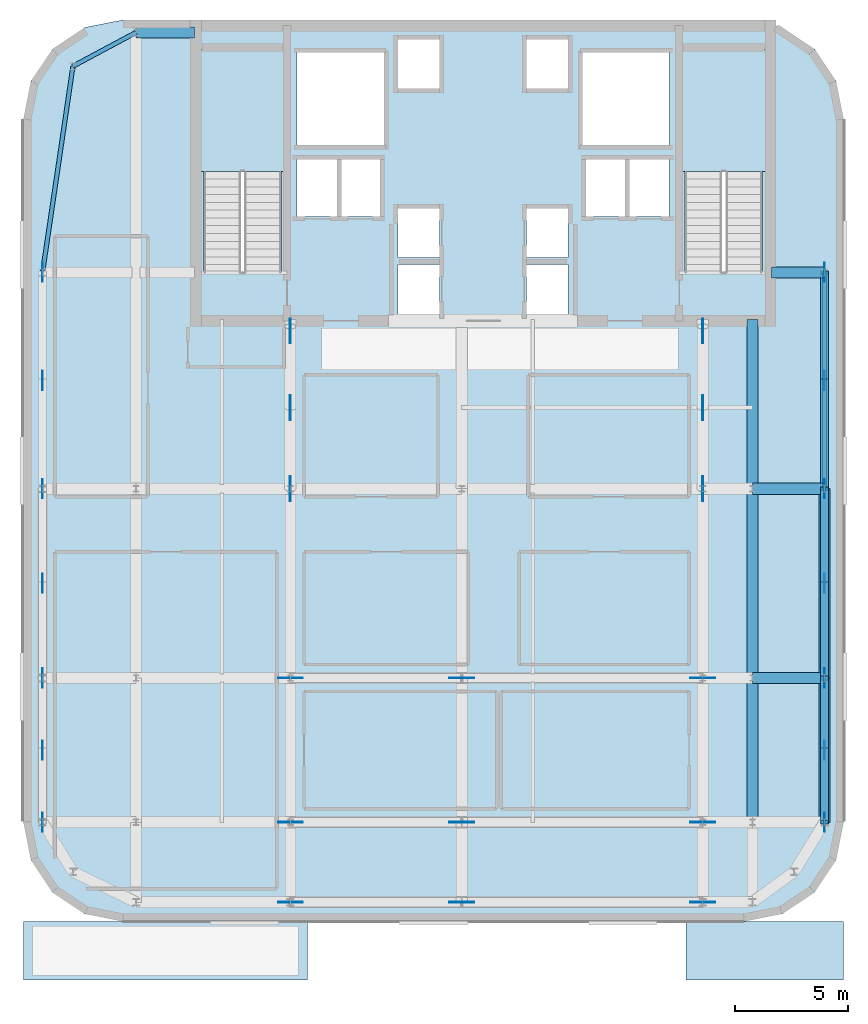
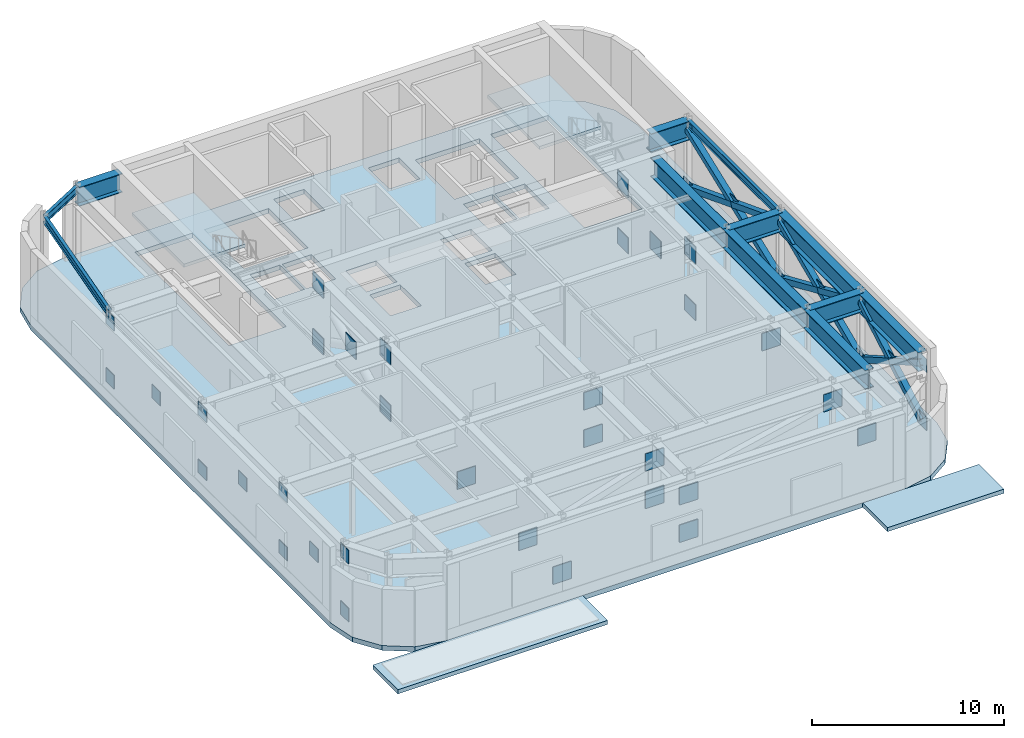
# One storey, part 6 of 13: 44 plates, 12 beams, 9 members, 5 slabs, 2 elements without a shape of their own.
"""IFC4 building model written with IfcOpenShell, lengths in metres."""

import ifcopenshell
import ifcopenshell.guid

model = None  # the IFC model being written
_history = None  # IfcOwnerHistory: only IFC2X3 demands one
_inside = {}  # id of a spatial element -> (the spatial element, [elements in it])
_under = {}  # id of a project, library or spatial element -> (it, [spatial elements below it])
_declared = {}  # id of a project -> (the project, [libraries it declares])
_typed = {}  # id of a type object -> (the type object, [elements of that type])
_made_of = {}  # id of a material, layer set ... -> (it, [elements and type objects made of it])


def new_model(schema):
    """Start an empty IFC model of exactly this schema.

    Asked for "IFC4X3", IfcOpenShell would pick the latest addendum, in which some entities
    have other attributes; the version numbers below select the first issue.
    IFC2X3 requires an IfcOwnerHistory on every rooted entity: one is made here for all.
    """
    global model, _history
    if schema == "IFC4X3":
        model = ifcopenshell.file(schema_version=(4, 3, 0, 0))
    else:
        model = ifcopenshell.file(schema=schema)
    _inside.clear()
    _under.clear()
    _declared.clear()
    _typed.clear()
    _made_of.clear()
    _history = None
    if model.schema == "IFC2X3":
        org = make("IfcOrganization", Name="unknown")
        user = make(
            "IfcPersonAndOrganization",
            ThePerson=make("IfcPerson", FamilyName="unknown"),
            TheOrganization=org,
        )
        app = make(
            "IfcApplication",
            ApplicationDeveloper=org,
            Version="unknown",
            ApplicationFullName="unknown",
            ApplicationIdentifier="unknown",
        )
        _history = make(
            "IfcOwnerHistory",
            OwningUser=user,
            OwningApplication=app,
            ChangeAction="ADDED",
            CreationDate=0,
        )
    return model


def make(cls, **values):
    """One entity of the class cls with the attributes given. An attribute that is None is left unset."""
    return model.create_entity(
        cls, **{name: value for name, value in values.items() if value is not None}
    )


def rooted(cls, **values):
    """An entity with a GlobalId (a new one), such as an element, a storey or a relation."""
    return make(cls, GlobalId=ifcopenshell.guid.new(), OwnerHistory=_history, **values)


def si_unit(unit_type, name, prefix=None):
    """IfcSIUnit, for example si_unit("LENGTHUNIT", "METRE", prefix="MILLI")."""
    return make("IfcSIUnit", UnitType=unit_type, Prefix=prefix, Name=name)


def assignment(units):
    """IfcUnitAssignment: the units of a project."""
    return None if units is None else make("IfcUnitAssignment", Units=units)


def point(xyz):
    """IfcCartesianPoint."""
    return None if xyz is None else make("IfcCartesianPoint", Coordinates=xyz)


def direction(xyz):
    """IfcDirection."""
    return None if xyz is None else make("IfcDirection", DirectionRatios=xyz)


def frame(location, z_axis=None, x_axis=None):
    """IfcAxis2Placement3D, a coordinate frame: its origin and axes. An axis left out is left unset."""
    return make(
        "IfcAxis2Placement3D",
        Location=point(location),
        Axis=direction(z_axis),
        RefDirection=direction(x_axis),
    )


def frame_2d(location, x_axis=None):
    """IfcAxis2Placement2D, a coordinate frame in the plane: its origin and x axis."""
    return make(
        "IfcAxis2Placement2D", Location=point(location), RefDirection=direction(x_axis)
    )


def origin():
    """The frame at (0, 0, 0) with its axes left unset."""
    return frame((0.0, 0.0, 0.0))


def origin_2d():
    """The frame at (0, 0) in the plane with its x axis left unset."""
    return frame_2d((0.0, 0.0))


def place(relative_to, where):
    """IfcLocalPlacement: puts the frame where relative to a parent placement (None: the world)."""
    return make(
        "IfcLocalPlacement", PlacementRelTo=relative_to, RelativePlacement=where
    )


def context(
    kind, dimensions, precision=None, world=None, true_north=None, identifier=None
):
    """IfcGeometricRepresentationContext, for example the 3D "Model" context."""
    return make(
        "IfcGeometricRepresentationContext",
        ContextIdentifier=identifier,
        ContextType=kind,
        CoordinateSpaceDimension=dimensions,
        Precision=precision,
        WorldCoordinateSystem=world,
        TrueNorth=true_north,
    )


def subcontext(parent, identifier, kind, view, scale=None):
    """IfcGeometricRepresentationSubContext, for example "Body" below "Model"."""
    return make(
        "IfcGeometricRepresentationSubContext",
        ContextIdentifier=identifier,
        ContextType=kind,
        ParentContext=parent,
        TargetScale=scale,
        TargetView=view,
    )


def project(units=None, contexts=None):
    """IfcProject with its units and contexts."""
    return rooted(
        "IfcProject",
        Name="project",
        RepresentationContexts=contexts,
        UnitsInContext=assignment(units),
    )


def spatial(cls, under=None, at=None, **own):
    """A site, building, storey or space (cls), placed at a placement, below another one or the project."""
    s = rooted(cls, ObjectPlacement=at, **own)
    if under is not None:
        _under.setdefault(under.id(), (under, []))[1].append(s)
    return s


def polyline(points):
    """IfcPolyline through the points."""
    return make("IfcPolyline", Points=[point(p) for p in points])


def profile(cls, at=None, kind="AREA", **sizes):
    """A parametric profile (cls). Its sizes go by their IFC names, for example OverallWidth=200.0."""
    return make(cls, ProfileType=kind, Position=at, **sizes)


def rectangle(**sizes):
    """IfcRectangleProfileDef."""
    return profile("IfcRectangleProfileDef", **sizes)


def hollow_rectangle(**sizes):
    """IfcRectangleHollowProfileDef."""
    return profile("IfcRectangleHollowProfileDef", **sizes)


def i_section(**sizes):
    """IfcIShapeProfileDef."""
    return profile("IfcIShapeProfileDef", **sizes)


def outline(outer, holes=None, kind="AREA"):
    """IfcArbitraryClosedProfileDef: a profile drawn as a closed curve; with holes, ...WithVoids."""
    if holes is None:
        return make("IfcArbitraryClosedProfileDef", ProfileType=kind, OuterCurve=outer)
    return make(
        "IfcArbitraryProfileDefWithVoids",
        ProfileType=kind,
        OuterCurve=outer,
        InnerCurves=holes,
    )


def extrude(swept, where, along, depth):
    """IfcExtrudedAreaSolid: the profile swept, set in the frame where, extruded along a direction by depth."""
    return make(
        "IfcExtrudedAreaSolid",
        SweptArea=swept,
        Position=where,
        ExtrudedDirection=direction(along),
        Depth=depth,
    )


def shape(context_of_items, identifier, shape_type, items):
    """IfcShapeRepresentation: the items that make up one representation, for example the "Body"."""
    return make(
        "IfcShapeRepresentation",
        ContextOfItems=context_of_items,
        RepresentationIdentifier=identifier,
        RepresentationType=shape_type,
        Items=items,
    )


def source(mapping_origin, context_of_items, identifier, shape_type, items):
    """IfcRepresentationMap: a shape defined once, which mapped items show again and again."""
    return make(
        "IfcRepresentationMap",
        MappingOrigin=mapping_origin,
        MappedRepresentation=shape(context_of_items, identifier, shape_type, items),
    )


def transform(
    local_origin,
    x_axis=None,
    y_axis=None,
    z_axis=None,
    scale=None,
    scale2=None,
    scale3=None,
    uniform=True,
):
    """IfcCartesianTransformationOperator3D, or its non-uniform kind. x_axis, y_axis, z_axis: its Axis1, 2, 3."""
    if uniform:
        return make(
            "IfcCartesianTransformationOperator3D",
            Axis1=direction(x_axis),
            Axis2=direction(y_axis),
            LocalOrigin=point(local_origin),
            Scale=scale,
            Axis3=direction(z_axis),
        )
    return make(
        "IfcCartesianTransformationOperator3DnonUniform",
        Axis1=direction(x_axis),
        Axis2=direction(y_axis),
        LocalOrigin=point(local_origin),
        Scale=scale,
        Axis3=direction(z_axis),
        Scale2=scale2,
        Scale3=scale3,
    )


def mapped(mapping_source, mapping_target):
    """IfcMappedItem: shows the shape of a source again, moved by a transform."""
    return make(
        "IfcMappedItem", MappingSource=mapping_source, MappingTarget=mapping_target
    )


def material(Name=None, Category=None):
    """IfcMaterial."""
    return make("IfcMaterial", Name=Name, Category=Category)


def layer(
    of_material, thickness, ventilated=None, Name=None, Category=None, Priority=None
):
    """IfcMaterialLayer: one layer of a wall or slab, of a material (None: an air gap)."""
    return make(
        "IfcMaterialLayer",
        Material=of_material,
        LayerThickness=thickness,
        IsVentilated=ventilated,
        Name=Name,
        Category=Category,
        Priority=Priority,
    )


def layer_set(layers, Name=None):
    """IfcMaterialLayerSet."""
    return make("IfcMaterialLayerSet", MaterialLayers=layers, LayerSetName=Name)


def material_profile(
    of_material, cross_section, Name=None, Category=None, Priority=None
):
    """IfcMaterialProfile: a cross section and its material."""
    return make(
        "IfcMaterialProfile",
        Name=Name,
        Material=of_material,
        Profile=cross_section,
        Priority=Priority,
        Category=Category,
    )


def profile_set(profiles, Name=None, composite=None):
    """IfcMaterialProfileSet."""
    return make(
        "IfcMaterialProfileSet",
        Name=Name,
        MaterialProfiles=profiles,
        CompositeProfile=composite,
    )


def made_of(thing, what):
    """Note that an element or type object is made of a material, layer set ...; save() writes the relation."""
    if what is not None:
        _made_of.setdefault(what.id(), (what, []))[1].append(thing)
    return thing


def type_object(cls, material=None, **own):
    """A type object (cls), such as IfcWallType, which elements share."""
    return made_of(rooted(cls, **own), material)


def type_shapes(of_type, sources):
    """Give a type object the sources (RepresentationMaps) that its elements show as mapped items."""
    of_type.RepresentationMaps = sources


def element(
    cls,
    number,
    at=None,
    inside=None,
    cuts=None,
    type_object=None,
    material=None,
    context=None,
    identifier="Body",
    shape_type=None,
    held_by="IfcProductDefinitionShape",
    body=None,
    shapes=None,
    **own,
):
    """One element of the class cls, such as IfcWall. Its Tag is "e" and its number.

    at: its placement. inside: the storey or other place that contains it. cuts: it is an
    opening in that element (IfcRelVoidsElement). A single representation is given by context,
    identifier, shape_type and body (its items); several are given by shapes. held_by: the class
    of the entity that holds the representations. save() writes the other relations.
    """
    e = rooted(cls, Tag="e%d" % number, ObjectPlacement=at, **own)
    if body is not None:
        shapes = [shape(context, identifier, shape_type, body)]
    if shapes is not None:
        e.Representation = make(held_by, Representations=shapes)
    if inside is not None:
        _inside.setdefault(inside.id(), (inside, []))[1].append(e)
    if cuts is not None:
        rooted(
            "IfcRelVoidsElement", RelatingBuildingElement=cuts, RelatedOpeningElement=e
        )
    if type_object is not None:
        _typed.setdefault(type_object.id(), (type_object, []))[1].append(e)
    return made_of(e, material)


def aggregate(whole, parts):
    """IfcRelAggregates: a whole, such as a stair, and the parts it consists of."""
    return rooted("IfcRelAggregates", RelatingObject=whole, RelatedObjects=parts)


def save(model, path):
    """Write the relations noted so far, then the file.

    IfcRelAggregates (storeys below a building ...), IfcRelContainedInSpatialStructure (elements
    in a storey), IfcRelDefinesByType, IfcRelAssociatesMaterial and IfcRelDeclares: one each for
    every whole, place, type object, material and project.
    """
    for whole, parts in _under.values():
        aggregate(whole, parts)
    for where, things in _inside.values():
        rooted(
            "IfcRelContainedInSpatialStructure",
            RelatedElements=things,
            RelatingStructure=where,
        )
    for kind, things in _typed.values():
        rooted("IfcRelDefinesByType", RelatedObjects=things, RelatingType=kind)
    for what, things in _made_of.values():
        rooted("IfcRelAssociatesMaterial", RelatedObjects=things, RelatingMaterial=what)
    for by, libraries in _declared.values():
        rooted("IfcRelDeclares", RelatingContext=by, RelatedDefinitions=libraries)
    model.write(path)


model = new_model("IFC4")

# Units and contexts
model_context = context("Model", 3, precision=1e-05, world=origin(), true_north=direction((0.0, 1.0)))
body_context = subcontext(model_context, "Body", "Model", "MODEL_VIEW")
ifc_project = project(units=[si_unit("LENGTHUNIT", "METRE"), si_unit("AREAUNIT", "SQUARE_METRE"), si_unit("VOLUMEUNIT", "CUBIC_METRE"), si_unit("PLANEANGLEUNIT", "RADIAN"), si_unit("MASSUNIT", "GRAM", prefix="KILO")], contexts=[model_context])

# Site, building, storey
site_placement = place(None, origin())
site = spatial("IfcSite", under=ifc_project, at=site_placement, CompositionType="ELEMENT")
building_placement = place(site_placement, origin())
building = spatial("IfcBuilding", under=site, at=building_placement, Name="Tolvann Quenvar Hotel", CompositionType="ELEMENT")
storey_placement = place(building_placement, frame((0.0, 0.0, 270.050048828125)))
storey = spatial("IfcBuildingStorey", under=building, at=storey_placement, Name="L72", CompositionType="ELEMENT", Elevation=270.050048828125)

# Beams
ifc_material_1 = material(Name="Steel Grade 350", Category="steel")
ifc_material_profile_1 = material_profile(ifc_material_1, i_section(OverallWidth=0.5, OverallDepth=1.199951171875, WebThickness=0.01611328125, FlangeThickness=0.0400390625, at=origin_2d()), Name="1200WB455")
ifc_profile_set_1 = profile_set([ifc_material_profile_1], Name="Steel Grade 350")
beam_type_1 = type_object("IfcBeamType", Name="BM_TG_1200WB455", PredefinedType="USERDEFINED", material=ifc_profile_set_1)
shared_shape_1 = source(origin(), body_context, "Body", "SweptSolid", [
    extrude(i_section(OverallWidth=0.5, OverallDepth=1.199951171875, WebThickness=0.01611328125, FlangeThickness=0.0400390625, at=origin_2d()), origin(), (0.0, 0.0, 1.0), 7.5),
])
beam_1_placement = place(storey_placement, frame((34.949951171875, 24.39990234375, 4.179931640625), z_axis=(0.0, 1.0, 0.0), x_axis=(-1.0, 0.0, 0.0)))
element("IfcBeam", 1, at=beam_1_placement, inside=storey, type_object=beam_type_1, Name="BM-L72-CORE-F5", ObjectType="TRANSFER GIRDER", PredefinedType="USERDEFINED", context=body_context, shape_type="MappedRepresentation", body=[
    mapped(shared_shape_1, transform((0.0, 0.0, 0.0), x_axis=(1.0, 0.0, 0.0), y_axis=(0.0, 1.0, 0.0), z_axis=(0.0, 0.0, 1.0), scale=1.0)),
])
shared_shape_2 = source(origin(), body_context, "Body", "SweptSolid", [
    extrude(i_section(OverallWidth=0.5, OverallDepth=1.199951171875, WebThickness=0.01611328125, FlangeThickness=0.0400390625, at=origin_2d()), origin(), (0.0, 0.0, 1.0), 2.599853515625),
])
beam_2_placement = place(storey_placement, frame((7.60009765625, 44.64990234375, 4.179931640625), z_axis=(1.0, 0.0, 0.0), x_axis=(0.0, 1.0, 0.0)))
element("IfcBeam", 2, at=beam_2_placement, inside=storey, type_object=beam_type_1, Name="BM-L72-CTW-CN", ObjectType="TRANSFER GIRDER", PredefinedType="USERDEFINED", context=body_context, shape_type="MappedRepresentation", body=[
    mapped(shared_shape_2, transform((0.0, 0.0, 0.0), x_axis=(1.0, 0.0, 0.0), y_axis=(0.0, 1.0, 0.0), z_axis=(0.0, 0.0, 1.0), scale=1.0)),
])
shared_shape_3 = source(origin(), body_context, "Body", "SweptSolid", [
    extrude(i_section(OverallWidth=0.5, OverallDepth=1.199951171875, WebThickness=0.01611328125, FlangeThickness=0.0400390625, at=origin_2d()), origin(), (0.0, 0.0, 1.0), 8.39990234375),
])
for number, where, z_axis, x_axis, name in (
    (3, (34.949951171875, 16.0, 4.179931640625), (0.0, 1.0, 0.0), (-1.0, 0.0, 0.0), "BM-L72-NS-F4-F5"),
    (4, (38.14990234375, 16.0, 4.179931640625), (0.0, 1.0, 0.0), (-1.0, 0.0, 0.0), "BM-L72-NS-G4-G5"),
):
    element("IfcBeam", number, at=place(storey_placement, frame(where, z_axis=z_axis, x_axis=x_axis)), inside=storey, type_object=beam_type_1, Name=name, ObjectType="TRANSFER GIRDER", PredefinedType="USERDEFINED", context=body_context, shape_type="MappedRepresentation", body=[
        mapped(shared_shape_3, transform((0.0, 0.0, 0.0), x_axis=(1.0, 0.0, 0.0), y_axis=(0.0, 1.0, 0.0), z_axis=(0.0, 0.0, 1.0), scale=1.0)),
    ])
ifc_material_profile_2 = material_profile(ifc_material_1, i_section(OverallWidth=0.19091796875, OverallDepth=0.4599609375, WebThickness=0.010009765625, FlangeThickness=0.01611328125, FilletRadius=0.011474609375, at=origin_2d()), Name="460UB82")
ifc_profile_set_2 = profile_set([ifc_material_profile_2], Name="Steel Grade 350")
beam_type_2 = type_object("IfcBeamType", Name="BM_SPAND_460UB82", PredefinedType="SPANDREL", material=ifc_profile_set_2)
shared_shape_4 = source(origin(), body_context, "Body", "SweptSolid", [
    extrude(i_section(OverallWidth=0.19091796875, OverallDepth=0.4599609375, WebThickness=0.010009765625, FlangeThickness=0.01611328125, FilletRadius=0.011474609375, at=origin_2d()), origin(), (0.0, 0.0, 1.0), 9.60009765625),
])
beam_3_placement = place(storey_placement, frame((38.14990234375, 24.39990234375, 4.550048828125), z_axis=(0.0, 1.0, 0.0), x_axis=(-1.0, 0.0, 0.0)))
element("IfcBeam", 5, at=beam_3_placement, inside=storey, type_object=beam_type_2, Name="BM-L72-FLK-G1", PredefinedType="SPANDREL", context=body_context, shape_type="MappedRepresentation", body=[
    mapped(shared_shape_4, transform((0.0, 0.0, 0.0), x_axis=(1.0, 0.0, 0.0), y_axis=(0.0, 1.0, 0.0), z_axis=(0.0, 0.0, 1.0), scale=1.0)),
])
shared_shape_5 = source(origin(), body_context, "Body", "SweptSolid", [
    extrude(i_section(OverallWidth=0.5, OverallDepth=1.199951171875, WebThickness=0.01611328125, FlangeThickness=0.0400390625, at=origin_2d()), origin(), (0.0, 0.0, 1.0), 3.199951171875),
])
for number, where, z_axis, x_axis, name in (
    (6, (34.949951171875, 16.0, 4.179931640625), (1.0, 0.0, 0.0), (0.0, 1.0, 0.0), "BM-L72-EW-4-F4-G4"),
    (7, (34.949951171875, 24.39990234375, 4.179931640625), (1.0, 0.0, 0.0), (0.0, 1.0, 0.0), "BM-L72-EW-5-F5-G5"),
):
    element("IfcBeam", number, at=place(storey_placement, frame(where, z_axis=z_axis, x_axis=x_axis)), inside=storey, type_object=beam_type_1, Name=name, ObjectType="TRANSFER GIRDER", PredefinedType="USERDEFINED", context=body_context, shape_type="MappedRepresentation", body=[
        mapped(shared_shape_5, transform((0.0, 0.0, 0.0), x_axis=(1.0, 0.0, 0.0), y_axis=(0.0, 1.0, 0.0), z_axis=(0.0, 0.0, 1.0), scale=1.0)),
    ])
shared_shape_6 = source(origin(), body_context, "Body", "SweptSolid", [
    extrude(i_section(OverallWidth=0.19091796875, OverallDepth=0.4599609375, WebThickness=0.010009765625, FlangeThickness=0.01611328125, FilletRadius=0.011474609375, at=origin_2d()), origin(), (0.0, 0.0, 1.0), 9.2490234375),
])
beam_4_placement = place(storey_placement, frame((3.449951171875, 34.0, 4.550048828125), z_axis=(0.145972731602, 0.989288613918, 0.0), x_axis=(-0.989288613918, 0.145972731602, 0.0)))
element("IfcBeam", 8, at=beam_4_placement, inside=storey, type_object=beam_type_2, Name="BM-L72-FLK-W2", PredefinedType="SPANDREL", context=body_context, shape_type="MappedRepresentation", body=[
    mapped(shared_shape_6, transform((0.0, 0.0, 0.0), x_axis=(1.0, 0.0, 0.0), y_axis=(0.0, 1.0, 0.0), z_axis=(0.0, 0.0, 1.0), scale=1.0)),
])
shared_shape_7 = source(origin(), body_context, "Body", "SweptSolid", [
    extrude(i_section(OverallWidth=0.19091796875, OverallDepth=0.4599609375, WebThickness=0.010009765625, FlangeThickness=0.01611328125, FilletRadius=0.011474609375, at=origin_2d()), origin(), (0.0, 0.0, 1.0), 3.176513671875),
])
type_shapes(beam_type_2, [shared_shape_4, shared_shape_6, shared_shape_7])
beam_5_placement = place(storey_placement, frame((4.800048828125, 43.14990234375, 4.550048828125), z_axis=(0.881483397762, 0.472215014025, 0.0), x_axis=(-0.472215014025, 0.881483397762, 0.0)))
element("IfcBeam", 9, at=beam_5_placement, inside=storey, type_object=beam_type_2, Name="BM-L72-FLK-W3", PredefinedType="SPANDREL", context=body_context, shape_type="MappedRepresentation", body=[
    mapped(shared_shape_7, transform((0.0, 0.0, 0.0), x_axis=(1.0, 0.0, 0.0), y_axis=(0.0, 1.0, 0.0), z_axis=(0.0, 0.0, 1.0), scale=1.0)),
])
shared_shape_8 = source(origin(), body_context, "Body", "SweptSolid", [
    extrude(i_section(OverallWidth=0.5, OverallDepth=1.199951171875, WebThickness=0.01611328125, FlangeThickness=0.0400390625, at=origin_2d()), origin(), (0.0, 0.0, 1.0), 2.349853515625),
])
beam_6_placement = place(storey_placement, frame((35.800048828125, 34.0, 4.179931640625), z_axis=(1.0, 0.0, 0.0), x_axis=(0.0, 1.0, 0.0)))
element("IfcBeam", 10, at=beam_6_placement, inside=storey, type_object=beam_type_1, Name="BM-L72-CTE-GD6", ObjectType="TRANSFER GIRDER", PredefinedType="USERDEFINED", context=body_context, shape_type="MappedRepresentation", body=[
    mapped(shared_shape_8, transform((0.0, 0.0, 0.0), x_axis=(1.0, 0.0, 0.0), y_axis=(0.0, 1.0, 0.0), z_axis=(0.0, 0.0, 1.0), scale=1.0)),
])
shared_shape_9 = source(origin(), body_context, "Body", "SweptSolid", [
    extrude(i_section(OverallWidth=0.5, OverallDepth=1.199951171875, WebThickness=0.01611328125, FlangeThickness=0.0400390625, at=origin_2d()), origin(), (0.0, 0.0, 1.0), 6.39990234375),
])
type_shapes(beam_type_1, [shared_shape_1, shared_shape_2, shared_shape_3, shared_shape_5, shared_shape_8, shared_shape_9])
for number, where, z_axis, x_axis, name in (
    (11, (34.949951171875, 9.60009765625, 4.179931640625), (0.0, 1.0, 0.0), (-1.0, 0.0, 0.0), "BM-L72-NS-F3-F4"),
    (12, (38.14990234375, 9.60009765625, 4.179931640625), (0.0, 1.0, 0.0), (-1.0, 0.0, 0.0), "BM-L72-NS-G3-G4"),
):
    element("IfcBeam", number, at=place(storey_placement, frame(where, z_axis=z_axis, x_axis=x_axis)), inside=storey, type_object=beam_type_1, Name=name, ObjectType="TRANSFER GIRDER", PredefinedType="USERDEFINED", context=body_context, shape_type="MappedRepresentation", body=[
        mapped(shared_shape_9, transform((0.0, 0.0, 0.0), x_axis=(1.0, 0.0, 0.0), y_axis=(0.0, 1.0, 0.0), z_axis=(0.0, 0.0, 1.0), scale=1.0)),
    ])

# Members
ifc_material_2 = material(Name="Steel Grade 450 (C450L0)", Category="steel")
ifc_material_profile_3 = material_profile(ifc_material_2, hollow_rectangle(XDim=0.35009765625, YDim=0.35009765625, WallThickness=0.01611328125, at=origin_2d()), Name="350x350x16SHS")
ifc_profile_set_3 = profile_set([ifc_material_profile_3], Name="Steel Grade 450 (C450L0)")
member_type = type_object("IfcMemberType", Name="MEM_BELT_350SHS", PredefinedType="BRACE", material=ifc_profile_set_3)
shared_shape_10 = source(origin(), body_context, "Body", "SweptSolid", [
    extrude(hollow_rectangle(XDim=0.35009765625, YDim=0.35009765625, WallThickness=0.01611328125, at=origin_2d()), origin(), (0.0, 0.0, 1.0), 7.382568359375),
])
member_1_placement = place(storey_placement, frame((38.14990234375, 9.60009765625, 0.449951171875), z_axis=(0.0, 0.866907017588, 0.498469881594), x_axis=(-1.0, 0.0, 0.0)))
element("IfcMember", 13, at=member_1_placement, inside=storey, type_object=member_type, Name="Belt Truss Primary Brace L72-E1A", PredefinedType="BRACE", context=body_context, shape_type="MappedRepresentation", body=[
    mapped(shared_shape_10, transform((0.0, 0.0, 0.0), x_axis=(1.0, 0.0, 0.0), y_axis=(0.0, 1.0, 0.0), z_axis=(0.0, 0.0, 1.0), scale=1.0)),
])
shared_shape_11 = source(origin(), body_context, "Body", "SweptSolid", [
    extrude(hollow_rectangle(XDim=0.35009765625, YDim=0.35009765625, WallThickness=0.01611328125, at=origin_2d()), origin(), (0.0, 0.0, 1.0), 3.69140625),
])
member_2_placement = place(storey_placement, frame((38.14990234375, 16.0, 0.449951171875), z_axis=(0.0, -0.866892726861, 0.498494734291), x_axis=(1.0, 0.0, 0.0)))
element("IfcMember", 14, at=member_2_placement, inside=storey, type_object=member_type, Name="Belt Truss Split Brace Lower L72-E1B1", PredefinedType="BRACE", context=body_context, shape_type="MappedRepresentation", body=[
    mapped(shared_shape_11, transform((0.0, 0.0, 0.0), x_axis=(1.0, 0.0, 0.0), y_axis=(0.0, 1.0, 0.0), z_axis=(0.0, 0.0, 1.0), scale=1.0)),
])
shared_shape_12 = source(origin(), body_context, "Body", "SweptSolid", [
    extrude(hollow_rectangle(XDim=0.35009765625, YDim=0.35009765625, WallThickness=0.01611328125, at=origin_2d()), origin(), (0.0, 0.0, 1.0), 3.691162109375),
])
member_3_placement = place(storey_placement, frame((38.14990234375, 12.800048828125, 2.2900390625), z_axis=(0.0, -0.866921308074, 0.498445027668), x_axis=(1.0, 0.0, 0.0)))
element("IfcMember", 15, at=member_3_placement, inside=storey, type_object=member_type, Name="Belt Truss Split Brace Upper L72-E1B2", PredefinedType="BRACE", context=body_context, shape_type="MappedRepresentation", body=[
    mapped(shared_shape_12, transform((0.0, 0.0, 0.0), x_axis=(1.0, 0.0, 0.0), y_axis=(0.0, 1.0, 0.0), z_axis=(0.0, 0.0, 1.0), scale=1.0)),
])
shared_shape_13 = source(origin(), body_context, "Body", "SweptSolid", [
    extrude(hollow_rectangle(XDim=0.35009765625, YDim=0.35009765625, WallThickness=0.01611328125, at=origin_2d()), origin(), (0.0, 0.0, 1.0), 9.170654296875),
])
member_4_placement = place(storey_placement, frame((38.14990234375, 16.0, 0.449951171875), z_axis=(0.0, 0.915958036519, 0.401274065118), x_axis=(-1.0, 0.0, 0.0)))
element("IfcMember", 16, at=member_4_placement, inside=storey, type_object=member_type, Name="Belt Truss Primary Brace L72-E2A", PredefinedType="BRACE", context=body_context, shape_type="MappedRepresentation", body=[
    mapped(shared_shape_13, transform((0.0, 0.0, 0.0), x_axis=(1.0, 0.0, 0.0), y_axis=(0.0, 1.0, 0.0), z_axis=(0.0, 0.0, 1.0), scale=1.0)),
])
shared_shape_14 = source(origin(), body_context, "Body", "SweptSolid", [
    extrude(hollow_rectangle(XDim=0.35009765625, YDim=0.35009765625, WallThickness=0.01611328125, at=origin_2d()), origin(), (0.0, 0.0, 1.0), 4.58544921875),
])
member_5_placement = place(storey_placement, frame((38.14990234375, 24.39990234375, 0.449951171875), z_axis=(0.0, -0.915948251414, 0.401296400099), x_axis=(1.0, 0.0, 0.0)))
element("IfcMember", 17, at=member_5_placement, inside=storey, type_object=member_type, Name="Belt Truss Split Brace Lower L72-E2B1", PredefinedType="BRACE", context=body_context, shape_type="MappedRepresentation", body=[
    mapped(shared_shape_14, transform((0.0, 0.0, 0.0), x_axis=(1.0, 0.0, 0.0), y_axis=(0.0, 1.0, 0.0), z_axis=(0.0, 0.0, 1.0), scale=1.0)),
])
shared_shape_15 = source(origin(), body_context, "Body", "SweptSolid", [
    extrude(hollow_rectangle(XDim=0.35009765625, YDim=0.35009765625, WallThickness=0.01611328125, at=origin_2d()), origin(), (0.0, 0.0, 1.0), 4.585205078125),
])
member_6_placement = place(storey_placement, frame((38.14990234375, 20.199951171875, 2.2900390625), z_axis=(0.0, -0.915967821289, 0.401251729421), x_axis=(1.0, 0.0, 0.0)))
element("IfcMember", 18, at=member_6_placement, inside=storey, type_object=member_type, Name="Belt Truss Split Brace Upper L72-E2B2", PredefinedType="BRACE", context=body_context, shape_type="MappedRepresentation", body=[
    mapped(shared_shape_15, transform((0.0, 0.0, 0.0), x_axis=(1.0, 0.0, 0.0), y_axis=(0.0, 1.0, 0.0), z_axis=(0.0, 0.0, 1.0), scale=1.0)),
])
shared_shape_16 = source(origin(), body_context, "Body", "SweptSolid", [
    extrude(hollow_rectangle(XDim=0.35009765625, YDim=0.35009765625, WallThickness=0.01611328125, at=origin_2d()), origin(), (0.0, 0.0, 1.0), 10.28125),
])
member_7_placement = place(storey_placement, frame((38.14990234375, 24.39990234375, 0.449951171875), z_axis=(0.0, 0.933749556409, 0.35792703992), x_axis=(-1.0, 0.0, 0.0)))
element("IfcMember", 19, at=member_7_placement, inside=storey, type_object=member_type, Name="Belt Truss Primary Brace L72-E3A", PredefinedType="BRACE", context=body_context, shape_type="MappedRepresentation", body=[
    mapped(shared_shape_16, transform((0.0, 0.0, 0.0), x_axis=(1.0, 0.0, 0.0), y_axis=(0.0, 1.0, 0.0), z_axis=(0.0, 0.0, 1.0), scale=1.0)),
])
shared_shape_17 = source(origin(), body_context, "Body", "SweptSolid", [
    extrude(hollow_rectangle(XDim=0.35009765625, YDim=0.35009765625, WallThickness=0.01611328125, at=origin_2d()), origin(), (0.0, 0.0, 1.0), 5.140625),
])
type_shapes(member_type, [shared_shape_10, shared_shape_11, shared_shape_12, shared_shape_13, shared_shape_14, shared_shape_15, shared_shape_16, shared_shape_17])
for number, where, z_axis, x_axis, name in (
    (20, (38.14990234375, 34.0, 0.449951171875), (0.0, -0.933741619917, 0.357947743722), (1.0, 0.0, 0.0), "Belt Truss Split Brace Lower L72-E3B1"),
    (21, (38.14990234375, 29.199951171875, 2.2900390625), (0.0, -0.933757492577, 0.357906335591), (1.0, 0.0, 0.0), "Belt Truss Split Brace Upper L72-E3B2"),
):
    element("IfcMember", number, at=place(storey_placement, frame(where, z_axis=z_axis, x_axis=x_axis)), inside=storey, type_object=member_type, Name=name, PredefinedType="BRACE", context=body_context, shape_type="MappedRepresentation", body=[
        mapped(shared_shape_17, transform((0.0, 0.0, 0.0), x_axis=(1.0, 0.0, 0.0), y_axis=(0.0, 1.0, 0.0), z_axis=(0.0, 0.0, 1.0), scale=1.0)),
    ])

# Stair, slab
ifc_material_3 = material(Name="Concrete N40 (40 MPa)", Category="concrete")
stair_type = type_object("IfcStairType", Name="STAIR", PredefinedType="HALF_TURN_STAIR", material=ifc_material_3)
stair_1_placement = place(storey_placement, origin())
stair_1 = element("IfcStair", 22, at=stair_1_placement, inside=storey, type_object=stair_type, Name="L72 ST-C1", PredefinedType="HALF_TURN_STAIR")
ifc_layer_1 = layer(ifc_material_3, 0.199951171875)
ifc_layer_set_1 = layer_set([ifc_layer_1], Name="Concrete N40 (40 MPa)")
slab_type_1 = type_object("IfcSlabType", Name="SLAB_LANDING", PredefinedType="LANDING", material=ifc_layer_set_1)
slab_1_placement = place(storey_placement, frame((0.0, 0.0, 2.300048828125)))
slab_1 = element("IfcSlab", 23, at=slab_1_placement, type_object=slab_type_1, Name="ST-C1 landing 1", PredefinedType="LANDING", context=body_context, shape_type="SweptSolid", body=[
    extrude(outline(polyline([(14.179931640625, 38.485107421875), (14.179931640625, 43.8798828125), (10.469970703125, 43.8798828125), (10.469970703125, 38.485107421875), (14.179931640625, 38.485107421875)])), origin(), (0.0, 0.0, 1.0), 0.199951171875),
])
aggregate(stair_1, [slab_1])

stair_2_placement = place(storey_placement, origin())
stair_2 = element("IfcStair", 24, at=stair_2_placement, inside=storey, type_object=stair_type, Name="L72 ST-C2", PredefinedType="HALF_TURN_STAIR")
slab_2_placement = place(storey_placement, frame((0.0, 0.0, 2.300048828125)))
slab_2 = element("IfcSlab", 25, at=slab_2_placement, type_object=slab_type_1, Name="ST-C2 landing 1", PredefinedType="LANDING", context=body_context, shape_type="SweptSolid", body=[
    extrude(outline(polyline([(35.530029296875, 38.485107421875), (35.530029296875, 43.8798828125), (31.820068359375, 43.8798828125), (31.820068359375, 38.485107421875), (35.530029296875, 38.485107421875)])), origin(), (0.0, 0.0, 1.0), 0.199951171875),
])
aggregate(stair_2, [slab_2])

# Slabs
ifc_material_4 = material(Name="Concrete N50 (50 MPa)", Category="concrete")
ifc_layer_2 = layer(ifc_material_4, 0.300048828125)
ifc_layer_set_2 = layer_set([ifc_layer_2], Name="Concrete N50 (50 MPa)")
slab_type_2 = type_object("IfcSlabType", Name="SLAB_PLANT_300", PredefinedType="FLOOR", material=ifc_layer_set_2)
slab_3_placement = place(storey_placement, frame((0.0, 0.0, -0.300048828125)))
element("IfcSlab", 26, at=slab_3_placement, inside=storey, type_object=slab_type_2, Name="Level L72 Structural Floor Slab", PredefinedType="FLOOR", context=body_context, shape_type="SweptSolid", body=[
    extrude(outline(polyline([(2.60009765625, 9.60009765625), (2.934814453125, 7.916259765625), (3.888671875, 6.48876953125), (5.316162109375, 5.534912109375), (7.0, 5.199951171875), (34.60009765625, 5.199951171875), (36.28369140625, 5.534912109375), (37.711181640625, 6.48876953125), (38.6650390625, 7.916259765625), (39.0, 9.60009765625), (39.0, 40.800048828125), (38.6650390625, 42.48388671875), (37.711181640625, 43.911376953125), (36.28369140625, 44.864990234375), (34.60009765625, 45.199951171875), (7.0, 45.199951171875), (5.316162109375, 44.864990234375), (3.888671875, 43.911376953125), (2.934814453125, 42.48388671875), (2.60009765625, 40.800048828125), (2.60009765625, 9.60009765625)]), holes=[polyline([(31.949951171875, 34.02490234375), (31.949951171875, 43.800048828125), (35.39990234375, 43.800048828125), (35.39990234375, 34.02490234375), (31.949951171875, 34.02490234375)]), polyline([(27.39990234375, 43.75), (31.25, 43.75), (31.25, 39.64990234375), (27.39990234375, 39.64990234375), (27.39990234375, 43.75)]), polyline([(29.449951171875, 39.02001953125), (31.25, 39.02001953125), (31.25, 36.47998046875), (29.449951171875, 36.47998046875), (29.449951171875, 39.02001953125)]), polyline([(27.574951171875, 39.02001953125), (29.324951171875, 39.02001953125), (29.324951171875, 36.47998046875), (27.574951171875, 36.47998046875), (27.574951171875, 39.02001953125)]), polyline([(24.929931640625, 36.840087890625), (26.77001953125, 36.840087890625), (26.77001953125, 34.659912109375), (24.929931640625, 34.659912109375), (24.929931640625, 36.840087890625)]), polyline([(24.929931640625, 44.340087890625), (26.77001953125, 44.340087890625), (26.77001953125, 42.159912109375), (24.929931640625, 42.159912109375), (24.929931640625, 44.340087890625)]), polyline([(24.929931640625, 32.159912109375), (24.929931640625, 34.340087890625), (26.77001953125, 34.340087890625), (26.77001953125, 32.159912109375), (24.929931640625, 32.159912109375)]), polyline([(19.22998046875, 36.840087890625), (21.070068359375, 36.840087890625), (21.070068359375, 34.659912109375), (19.22998046875, 34.659912109375), (19.22998046875, 36.840087890625)]), polyline([(19.22998046875, 44.340087890625), (21.070068359375, 44.340087890625), (21.070068359375, 42.159912109375), (19.22998046875, 42.159912109375), (19.22998046875, 44.340087890625)]), polyline([(19.22998046875, 32.159912109375), (19.22998046875, 34.340087890625), (21.070068359375, 34.340087890625), (21.070068359375, 32.159912109375), (19.22998046875, 32.159912109375)]), polyline([(14.75, 43.75), (18.60009765625, 43.75), (18.60009765625, 39.64990234375), (14.75, 39.64990234375), (14.75, 43.75)]), polyline([(16.675048828125, 39.02001953125), (18.425048828125, 39.02001953125), (18.425048828125, 36.47998046875), (16.675048828125, 36.47998046875), (16.675048828125, 39.02001953125)]), polyline([(14.75, 39.02001953125), (16.550048828125, 39.02001953125), (16.550048828125, 36.47998046875), (14.75, 36.47998046875), (14.75, 39.02001953125)]), polyline([(10.60009765625, 34.02490234375), (10.60009765625, 43.800048828125), (14.050048828125, 43.800048828125), (14.050048828125, 34.02490234375), (10.60009765625, 34.02490234375)])]), origin(), (0.0, 0.0, 1.0), 0.300048828125),
])
ifc_layer_3 = layer(ifc_material_4, 0.260009765625)
ifc_layer_set_3 = layer_set([ifc_layer_3], Name="Concrete N50 (50 MPa)")
slab_type_3 = type_object("IfcSlabType", Name="SLAB_TER_260", PredefinedType="ROOF", material=ifc_layer_set_3)
slab_4_placement = place(storey_placement, frame((0.0, 0.0, -0.260009765625)))
element("IfcSlab", 27, at=slab_4_placement, inside=storey, type_object=slab_type_3, Name="Step-in Roof Cap (ROOF-L72-SW)", PredefinedType="ROOF", context=body_context, shape_type="SweptSolid", body=[
    extrude(outline(polyline([(2.60009765625, 2.60009765625), (15.199951171875, 2.60009765625), (15.199951171875, 5.199951171875), (2.60009765625, 5.199951171875), (2.60009765625, 2.60009765625)])), origin(), (0.0, 0.0, 1.0), 0.260009765625),
])
slab_5_placement = place(storey_placement, frame((0.0, 0.0, -0.260009765625)))
element("IfcSlab", 28, at=slab_5_placement, inside=storey, type_object=slab_type_3, Name="Step-in Roof Cap (ROOF-L72-SE)", PredefinedType="ROOF", context=body_context, shape_type="SweptSolid", body=[
    extrude(outline(polyline([(32.0, 2.60009765625), (39.0, 2.60009765625), (39.0, 5.199951171875), (32.0, 5.199951171875), (32.0, 2.60009765625)])), origin(), (0.0, 0.0, 1.0), 0.260009765625),
])

# Plates
ifc_layer_4 = layer(ifc_material_1, 0.0400390625)
ifc_layer_set_4 = layer_set([ifc_layer_4], Name="Steel Grade 350")
plate_type_1 = type_object("IfcPlateType", Name="PLT_GUSSET_40", PredefinedType="USERDEFINED", material=ifc_layer_set_4)
shared_shape_18 = source(origin(), body_context, "Body", "SweptSolid", [
    extrude(rectangle(XDim=1.10009765625, YDim=0.0400390625, at=origin_2d()), origin(), (0.0, 0.0, 1.0), 1.10009765625),
])
for number, where, z_axis, x_axis, name in (
    (29, (14.449951171875, 6.050048828125, 0.64990234375), (0.0, 0.0, 1.0), (1.0, 0.0, 0.0), "Wind Portal Vierendeel Gusset Plate VN1 (2-0)"),
    (30, (22.050048828125, 6.050048828125, 3.02978515625), (0.0, 0.0, 1.0), (1.0, 0.0, 0.0), "Wind Portal Vierendeel Top Gusset Plate VN1 (2-0)"),
    (31, (22.050048828125, 6.050048828125, 0.64990234375), (0.0, 0.0, 1.0), (1.0, 0.0, 0.0), "Wind Portal Vierendeel Gusset Plate VN1 (2-1)"),
    (32, (32.75, 6.050048828125, 3.02978515625), (0.0, 0.0, 1.0), (1.0, 0.0, 0.0), "Wind Portal Vierendeel Top Gusset Plate VN1 (2-1)"),
    (33, (14.449951171875, 9.60009765625, 0.64990234375), (0.0, 0.0, 1.0), (1.0, 0.0, 0.0), "Wind Portal Vierendeel Gusset Plate VN1 (3-0)"),
    (34, (22.050048828125, 9.60009765625, 3.02978515625), (0.0, 0.0, 1.0), (1.0, 0.0, 0.0), "Wind Portal Vierendeel Top Gusset Plate VN1 (3-0)"),
    (35, (22.050048828125, 9.60009765625, 0.64990234375), (0.0, 0.0, 1.0), (1.0, 0.0, 0.0), "Wind Portal Vierendeel Gusset Plate VN1 (3-1)"),
    (36, (32.75, 9.60009765625, 3.02978515625), (0.0, 0.0, 1.0), (1.0, 0.0, 0.0), "Wind Portal Vierendeel Top Gusset Plate VN1 (3-1)"),
    (37, (14.449951171875, 16.0, 0.64990234375), (0.0, 0.0, 1.0), (1.0, 0.0, 0.0), "Wind Portal Vierendeel Gusset Plate VN1 (4-0)"),
    (38, (22.050048828125, 16.0, 3.02978515625), (0.0, 0.0, 1.0), (1.0, 0.0, 0.0), "Wind Portal Vierendeel Top Gusset Plate VN1 (4-0)"),
    (39, (22.050048828125, 16.0, 0.64990234375), (0.0, 0.0, 1.0), (1.0, 0.0, 0.0), "Wind Portal Vierendeel Gusset Plate VN1 (4-1)"),
    (40, (32.75, 16.0, 3.02978515625), (0.0, 0.0, 1.0), (1.0, 0.0, 0.0), "Wind Portal Vierendeel Top Gusset Plate VN1 (4-1)"),
):
    element("IfcPlate", number, at=place(storey_placement, frame(where, z_axis=z_axis, x_axis=x_axis)), inside=storey, type_object=plate_type_1, Name=name, ObjectType="GUSSET PLATE", PredefinedType="USERDEFINED", context=body_context, shape_type="MappedRepresentation", body=[
        mapped(shared_shape_18, transform((0.0, 0.0, 0.0), x_axis=(1.0, 0.0, 0.0), y_axis=(0.0, 1.0, 0.0), z_axis=(0.0, 0.0, 1.0), scale=1.0)),
    ])
shared_shape_19 = source(origin(), body_context, "Body", "SweptSolid", [
    extrude(rectangle(XDim=0.0400390625, YDim=1.10009765625, at=origin_2d()), origin(), (0.0, 0.0, 1.0), 1.10009765625),
])
type_shapes(plate_type_1, [shared_shape_18, shared_shape_19])
for number, where, z_axis, x_axis, name in (
    (41, (14.449951171875, 28.0, 1.739990234375), (0.0, 0.0, 1.0), (1.0, 0.0, 0.0), "Outrigger X-Crossing Gusset Plate ON2 (L72-1)"),
    (42, (14.449951171875, 31.39990234375, -0.10009765625), (0.0, 0.0, 1.0), (1.0, 0.0, 0.0), "Outrigger Node Gusset Plate ON1 (L72-1-1)"),
    (43, (14.449951171875, 31.39990234375, 3.579833984375), (0.0, 0.0, 1.0), (1.0, 0.0, 0.0), "Outrigger Node Gusset Plate ON1 (L72-1-2)"),
    (44, (14.449951171875, 24.39990234375, -0.10009765625), (0.0, 0.0, 1.0), (1.0, 0.0, 0.0), "Outrigger Node Gusset Plate ON1 (L72-1-3)"),
    (45, (14.449951171875, 24.39990234375, 3.579833984375), (0.0, 0.0, 1.0), (1.0, 0.0, 0.0), "Outrigger Node Gusset Plate ON1 (L72-1-4)"),
    (46, (32.75, 28.0, 1.739990234375), (0.0, 0.0, 1.0), (1.0, 0.0, 0.0), "Outrigger X-Crossing Gusset Plate ON2 (L72-2)"),
    (47, (32.75, 31.39990234375, -0.10009765625), (0.0, 0.0, 1.0), (1.0, 0.0, 0.0), "Outrigger Node Gusset Plate ON1 (L72-2-1)"),
    (48, (32.75, 31.39990234375, 3.579833984375), (0.0, 0.0, 1.0), (1.0, 0.0, 0.0), "Outrigger Node Gusset Plate ON1 (L72-2-2)"),
    (49, (32.75, 24.39990234375, -0.10009765625), (0.0, 0.0, 1.0), (1.0, 0.0, 0.0), "Outrigger Node Gusset Plate ON1 (L72-2-3)"),
    (50, (32.75, 24.39990234375, 3.579833984375), (0.0, 0.0, 1.0), (1.0, 0.0, 0.0), "Outrigger Node Gusset Plate ON1 (L72-2-4)"),
):
    element("IfcPlate", number, at=place(storey_placement, frame(where, z_axis=z_axis, x_axis=x_axis)), inside=storey, type_object=plate_type_1, Name=name, ObjectType="GUSSET PLATE", PredefinedType="USERDEFINED", context=body_context, shape_type="MappedRepresentation", body=[
        mapped(shared_shape_19, transform((0.0, 0.0, 0.0), x_axis=(1.0, 0.0, 0.0), y_axis=(0.0, 1.0, 0.0), z_axis=(0.0, 0.0, 1.0), scale=1.0)),
    ])
ifc_layer_5 = layer(ifc_material_1, 0.031982421875)
ifc_layer_set_5 = layer_set([ifc_layer_5], Name="Steel Grade 350")
plate_type_2 = type_object("IfcPlateType", Name="PLT_GUSSET_32", PredefinedType="USERDEFINED", material=ifc_layer_set_5)
shared_shape_20 = source(origin(), body_context, "Body", "SweptSolid", [
    extrude(rectangle(XDim=0.031982421875, YDim=0.85009765625, at=origin_2d()), origin(), (0.0, 0.0, 1.0), 0.85009765625),
])
type_shapes(plate_type_2, [shared_shape_20])
for number, where, z_axis, x_axis, name in (
    (51, (3.449951171875, 12.800048828125, 1.864990234375), (0.0, 0.0, 1.0), (1.0, 0.0, 0.0), "Belt Truss X-Crossing Gusset Plate BN2 (L72-W1)"),
    (52, (3.449951171875, 9.60009765625, 0.02490234375), (0.0, 0.0, 1.0), (1.0, 0.0, 0.0), "Belt Truss Node Gusset Plate BN1 (L72-W1-1)"),
    (53, (3.449951171875, 9.60009765625, 3.704833984375), (0.0, 0.0, 1.0), (1.0, 0.0, 0.0), "Belt Truss Node Gusset Plate BN1 (L72-W1-2)"),
    (54, (38.14990234375, 12.800048828125, 1.864990234375), (0.0, 0.0, 1.0), (1.0, 0.0, 0.0), "Belt Truss X-Crossing Gusset Plate BN2 (L72-E1)"),
    (55, (38.14990234375, 9.60009765625, 0.02490234375), (0.0, 0.0, 1.0), (1.0, 0.0, 0.0), "Belt Truss Node Gusset Plate BN1 (L72-E1-1)"),
    (56, (38.14990234375, 9.60009765625, 3.704833984375), (0.0, 0.0, 1.0), (1.0, 0.0, 0.0), "Belt Truss Node Gusset Plate BN1 (L72-E1-2)"),
    (57, (3.449951171875, 20.199951171875, 1.864990234375), (0.0, 0.0, 1.0), (1.0, 0.0, 0.0), "Belt Truss X-Crossing Gusset Plate BN2 (L72-W2)"),
    (58, (3.449951171875, 16.0, 0.02490234375), (0.0, 0.0, 1.0), (1.0, 0.0, 0.0), "Belt Truss Node Gusset Plate BN1 (L72-W2-1)"),
    (59, (3.449951171875, 16.0, 3.704833984375), (0.0, 0.0, 1.0), (1.0, 0.0, 0.0), "Belt Truss Node Gusset Plate BN1 (L72-W2-2)"),
    (60, (38.14990234375, 20.199951171875, 1.864990234375), (0.0, 0.0, 1.0), (1.0, 0.0, 0.0), "Belt Truss X-Crossing Gusset Plate BN2 (L72-E2)"),
    (61, (38.14990234375, 16.0, 0.02490234375), (0.0, 0.0, 1.0), (1.0, 0.0, 0.0), "Belt Truss Node Gusset Plate BN1 (L72-E2-1)"),
    (62, (38.14990234375, 16.0, 3.704833984375), (0.0, 0.0, 1.0), (1.0, 0.0, 0.0), "Belt Truss Node Gusset Plate BN1 (L72-E2-2)"),
    (63, (3.449951171875, 29.199951171875, 1.864990234375), (0.0, 0.0, 1.0), (1.0, 0.0, 0.0), "Belt Truss X-Crossing Gusset Plate BN2 (L72-W3)"),
    (64, (3.449951171875, 24.39990234375, 0.02490234375), (0.0, 0.0, 1.0), (1.0, 0.0, 0.0), "Belt Truss Node Gusset Plate BN1 (L72-W3-1)"),
    (65, (3.449951171875, 24.39990234375, 3.704833984375), (0.0, 0.0, 1.0), (1.0, 0.0, 0.0), "Belt Truss Node Gusset Plate BN1 (L72-W3-2)"),
    (66, (3.449951171875, 34.0, 0.02490234375), (0.0, 0.0, 1.0), (1.0, 0.0, 0.0), "Belt Truss Node Gusset Plate BN1 (L72-W3-3)"),
    (67, (3.449951171875, 34.0, 3.704833984375), (0.0, 0.0, 1.0), (1.0, 0.0, 0.0), "Belt Truss Node Gusset Plate BN1 (L72-W3-4)"),
    (68, (38.14990234375, 29.199951171875, 1.864990234375), (0.0, 0.0, 1.0), (1.0, 0.0, 0.0), "Belt Truss X-Crossing Gusset Plate BN2 (L72-E3)"),
    (69, (38.14990234375, 24.39990234375, 0.02490234375), (0.0, 0.0, 1.0), (1.0, 0.0, 0.0), "Belt Truss Node Gusset Plate BN1 (L72-E3-1)"),
    (70, (38.14990234375, 24.39990234375, 3.704833984375), (0.0, 0.0, 1.0), (1.0, 0.0, 0.0), "Belt Truss Node Gusset Plate BN1 (L72-E3-2)"),
    (71, (38.14990234375, 34.0, 0.02490234375), (0.0, 0.0, 1.0), (1.0, 0.0, 0.0), "Belt Truss Node Gusset Plate BN1 (L72-E3-3)"),
    (72, (38.14990234375, 34.0, 3.704833984375), (0.0, 0.0, 1.0), (1.0, 0.0, 0.0), "Belt Truss Node Gusset Plate BN1 (L72-E3-4)"),
):
    element("IfcPlate", number, at=place(storey_placement, frame(where, z_axis=z_axis, x_axis=x_axis)), inside=storey, type_object=plate_type_2, Name=name, ObjectType="GUSSET PLATE", PredefinedType="USERDEFINED", context=body_context, shape_type="MappedRepresentation", body=[
        mapped(shared_shape_20, transform((0.0, 0.0, 0.0), x_axis=(1.0, 0.0, 0.0), y_axis=(0.0, 1.0, 0.0), z_axis=(0.0, 0.0, 1.0), scale=1.0)),
    ])

save(model, "model.ifc")
